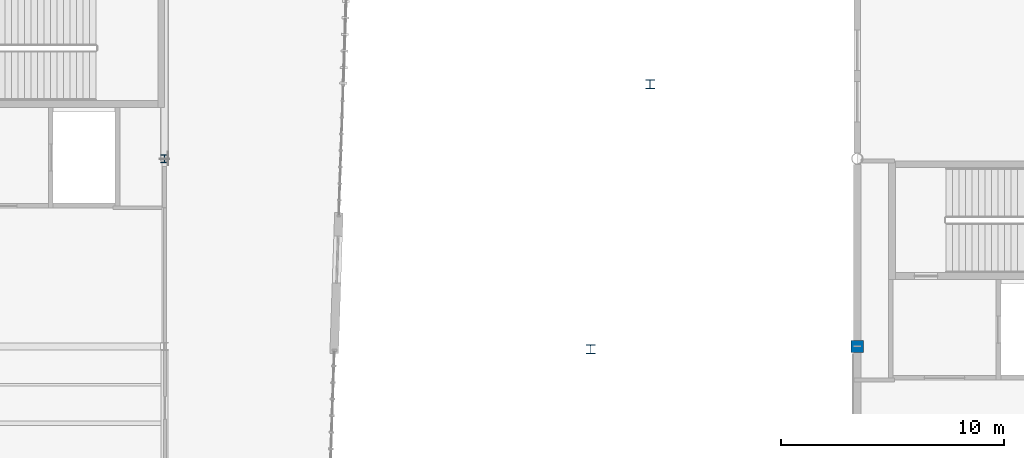
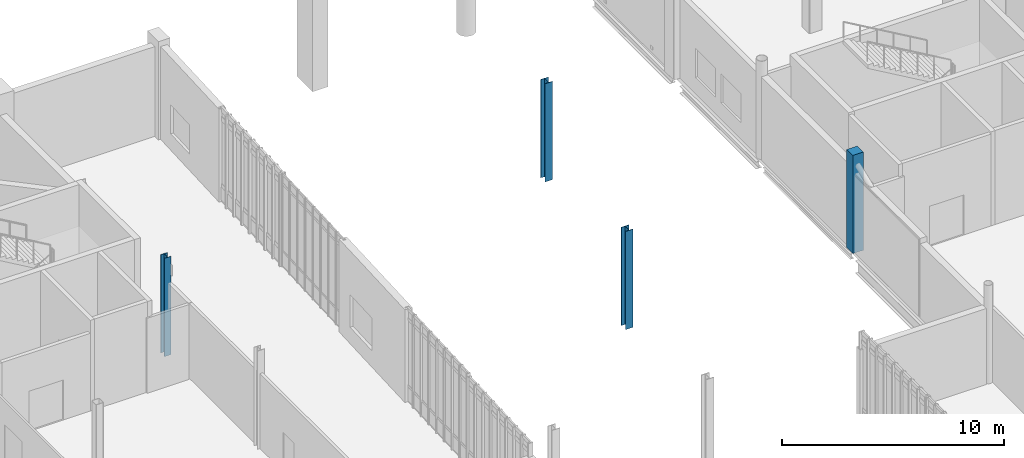
# One storey, part 11 of 127: 4 columns.
"""IFC4 building model written with IfcOpenShell, lengths in metres."""

from ifc_helpers import new_model, si_unit, direction, frame, origin, origin_2d, place, context, subcontext, project, spatial, rectangle, i_section, extrude, material, material_profile, profile_set, type_object, element, save


model = new_model("IFC4")

# Units and contexts
model_context = context("Model", 3, precision=1e-05, world=origin(), true_north=direction((0.0, 1.0)))
body_context = subcontext(model_context, "Body", "Model", "MODEL_VIEW")
ifc_project = project(units=[si_unit("LENGTHUNIT", "METRE"), si_unit("AREAUNIT", "SQUARE_METRE"), si_unit("VOLUMEUNIT", "CUBIC_METRE"), si_unit("PLANEANGLEUNIT", "RADIAN"), si_unit("MASSUNIT", "GRAM", prefix="KILO")], contexts=[model_context])

# Site, building, storey
site_placement = place(None, origin())
site = spatial("IfcSite", under=ifc_project, at=site_placement, CompositionType="ELEMENT")
building_placement = place(site_placement, origin())
building = spatial("IfcBuilding", under=site, at=building_placement, Name="Larkvane Passage Sports Hall", CompositionType="ELEMENT")
storey_placement = place(building_placement, frame((0.0, 0.0, 5.39990234375)))
storey = spatial("IfcBuildingStorey", under=building, at=storey_placement, Name="L01", CompositionType="ELEMENT", Elevation=5.39990234375)

# Columns
ifc_material_1 = material(Name="Concrete C40/50", Category="concrete")
ifc_material_profile_1 = material_profile(ifc_material_1, rectangle(XDim=0.550048828125, YDim=0.550048828125, at=origin_2d()), Name="RC-COL-550x550")
ifc_profile_set_1 = profile_set([ifc_material_profile_1], Name="Concrete C40/50")
column_type_1 = type_object("IfcColumnType", Name="COL-RC-550", PredefinedType="COLUMN", material=ifc_profile_set_1)
column_1_placement = place(storey_placement, frame((124.60009765625, 75.60009765625, 0.0), z_axis=(0.0, 0.0, 1.0), x_axis=(1.0, 0.0, 0.0)))
element("IfcColumn", 1, at=column_1_placement, inside=storey, type_object=column_type_1, Name="Column 17/J L01", PredefinedType="COLUMN", context=body_context, shape_type="SweptSolid", body=[
    extrude(rectangle(XDim=0.550048828125, YDim=0.550048828125, at=origin_2d()), origin(), (0.0, 0.0, 1.0), 5.400146484375),
])
ifc_material_2 = material(Name="Steel S355JR", Category="steel")
ifc_material_profile_2 = material_profile(ifc_material_2, i_section(OverallWidth=0.35009765625, OverallDepth=0.35009765625, WebThickness=0.011962890625, FlangeThickness=0.01904296875, FilletRadius=0.012939453125, at=origin_2d()), Name="H-350x350x12x19")
ifc_profile_set_2 = profile_set([ifc_material_profile_2], Name="Steel S355JR")
column_type_2 = type_object("IfcColumnType", Name="COL-STL-H350", PredefinedType="COLUMN", material=ifc_profile_set_2)
column_2_placement = place(storey_placement, frame((93.60009765625, 84.0, 0.0), z_axis=(0.0, 0.0, 1.0), x_axis=(1.0, 0.0, 0.0)))
element("IfcColumn", 2, at=column_2_placement, inside=storey, type_object=column_type_2, Name="Column 13/K L01", PredefinedType="COLUMN", context=body_context, shape_type="SweptSolid", body=[
    extrude(i_section(OverallWidth=0.35009765625, OverallDepth=0.35009765625, WebThickness=0.011962890625, FlangeThickness=0.01904296875, FilletRadius=0.012939453125, at=origin_2d()), origin(), (0.0, 0.0, 1.0), 5.400146484375),
])
ifc_material_profile_3 = material_profile(ifc_material_2, i_section(OverallWidth=0.39990234375, OverallDepth=0.39990234375, WebThickness=0.012939453125, FlangeThickness=0.02099609375, FilletRadius=0.02197265625, at=origin_2d()), Name="H-400x400x13x21")
ifc_profile_set_3 = profile_set([ifc_material_profile_3], Name="Steel S355JR")
column_type_3 = type_object("IfcColumnType", Name="COL-STL-H400", PredefinedType="COLUMN", material=ifc_profile_set_3)
for number, where, z_axis, x_axis, name in (
    (3, (112.669921875, 75.469970703125, 0.0), (0.0, 0.0, 1.0), (1.0, 0.0, 0.0), "Climbing hall east facade column V3E-1 L01"),
    (4, (115.330078125, 87.330078125, 0.0), (0.0, 0.0, 1.0), (1.0, 0.0, 0.0), "Climbing hall east facade column V3E-2 L01"),
):
    element("IfcColumn", number, at=place(storey_placement, frame(where, z_axis=z_axis, x_axis=x_axis)), inside=storey, type_object=column_type_3, Name=name, PredefinedType="COLUMN", context=body_context, shape_type="SweptSolid", body=[
        extrude(i_section(OverallWidth=0.39990234375, OverallDepth=0.39990234375, WebThickness=0.012939453125, FlangeThickness=0.02099609375, FilletRadius=0.02197265625, at=origin_2d()), origin(), (0.0, 0.0, 1.0), 5.400146484375),
    ])

save(model, "model.ifc")
